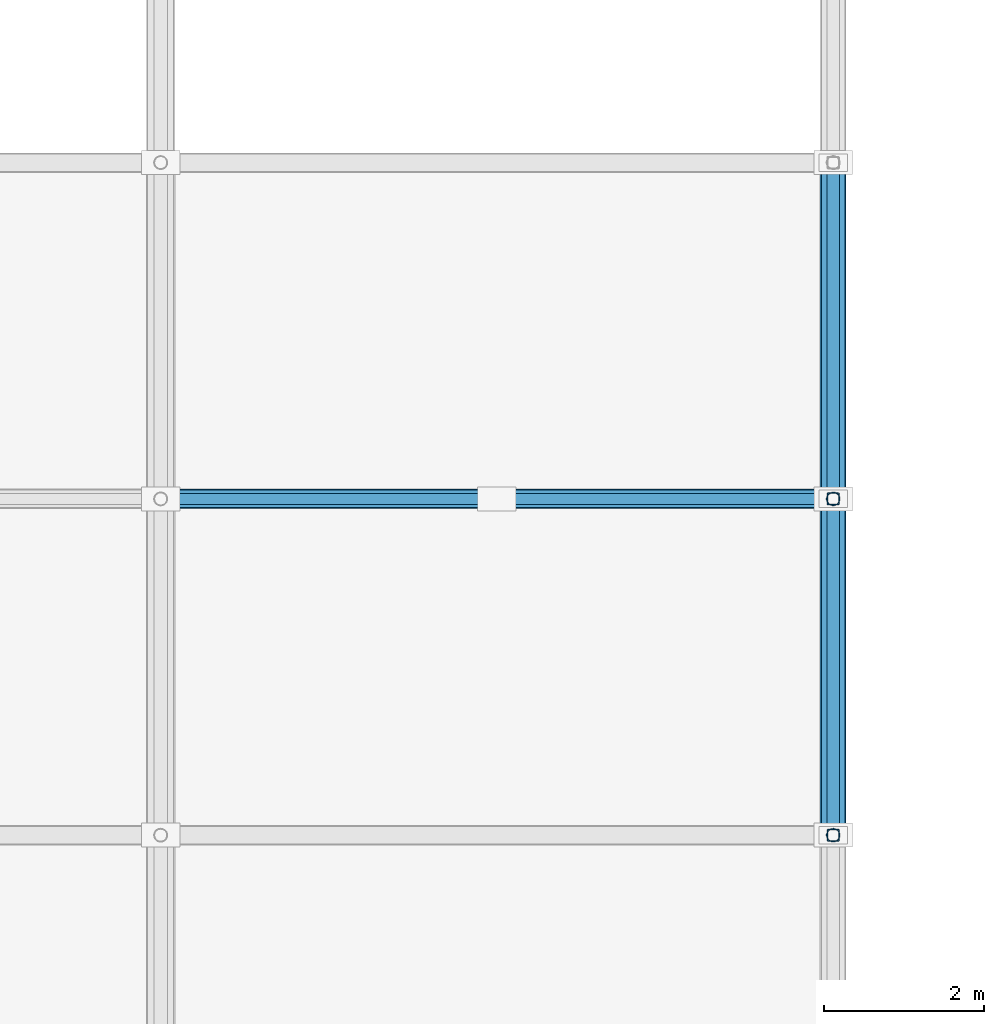
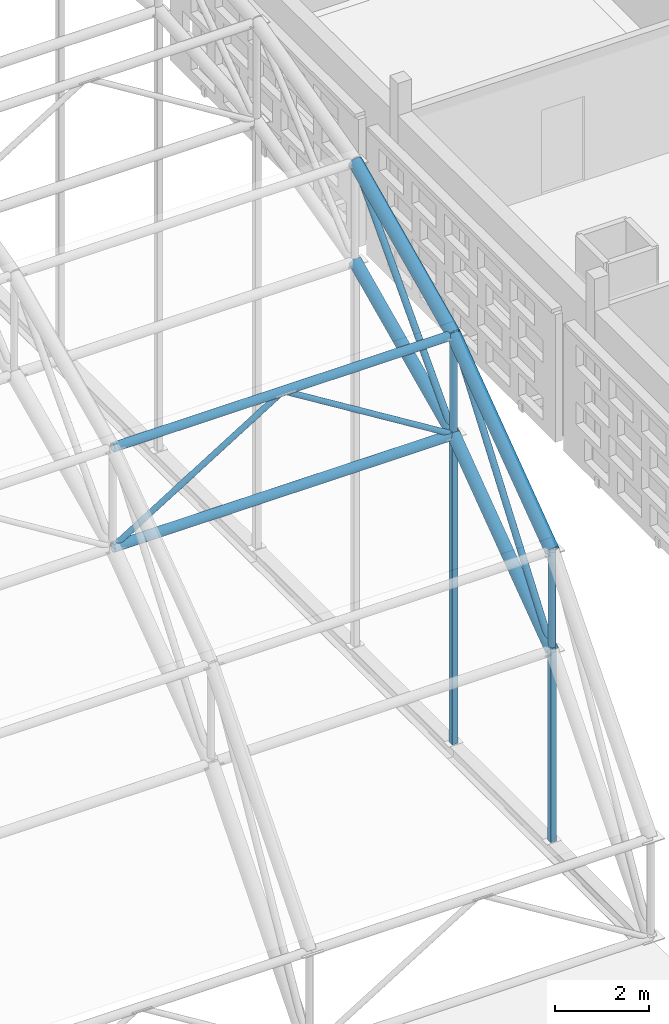
# One storey, part 55 of 103: 10 members, 4 beams.
"""IFC4 building model written with IfcOpenShell, lengths in metres."""

from ifc_helpers import new_model, si_unit, direction, frame, origin, origin_2d, place, context, subcontext, project, spatial, hollow_rectangle, hollow_circle, extrude, material, material_profile, profile_set, type_object, element, save


model = new_model("IFC4")

# Units and contexts
model_context = context("Model", 3, precision=1e-05, world=origin(), true_north=direction((0.0, 1.0)))
body_context = subcontext(model_context, "Body", "Model", "MODEL_VIEW")
ifc_project = project(units=[si_unit("LENGTHUNIT", "METRE"), si_unit("AREAUNIT", "SQUARE_METRE"), si_unit("VOLUMEUNIT", "CUBIC_METRE"), si_unit("PLANEANGLEUNIT", "RADIAN"), si_unit("MASSUNIT", "GRAM", prefix="KILO")], contexts=[model_context])

# Site, building, storey
site_placement = place(None, origin())
site = spatial("IfcSite", under=ifc_project, at=site_placement, CompositionType="ELEMENT")
building_placement = place(site_placement, origin())
building = spatial("IfcBuilding", under=site, at=building_placement, Name="Varnapada Polytechnic", CompositionType="ELEMENT")
storey_placement = place(building_placement, frame((0.0, 0.0, 18.0)))
storey = spatial("IfcBuildingStorey", under=building, at=storey_placement, Name="L04", CompositionType="ELEMENT", Elevation=18.0)

# Members
ifc_material = material(Name="Steel S355", Category="steel")
ifc_material_profile_1 = material_profile(ifc_material, hollow_rectangle(XDim=0.14990234375, YDim=0.14990234375, WallThickness=0.00634765625, InnerFilletRadius=0.006103515625, OuterFilletRadius=0.011962890625, at=origin_2d()), Name="SHS 150x150x6.3")
ifc_profile_set_1 = profile_set([ifc_material_profile_1], Name="Steel S355")
member_type_1 = type_object("IfcMemberType", Name="Sawtooth north-light mullion post SFP-02 (SHS 150x150x6.3)", PredefinedType="POST", material=ifc_profile_set_1)
member_1_placement = place(storey_placement, frame((134.39990234375, 88.199951171875, 0.0), z_axis=(0.0, 0.0, 1.0), x_axis=(1.0, 0.0, 0.0)))
element("IfcMember", 1, at=member_1_placement, inside=storey, type_object=member_type_1, Name="Workshop arch tympanum mullion E.1", PredefinedType="POST", context=body_context, shape_type="SweptSolid", body=[
    extrude(hollow_rectangle(XDim=0.14990234375, YDim=0.14990234375, WallThickness=0.00634765625, InnerFilletRadius=0.006103515625, OuterFilletRadius=0.011962890625, at=origin_2d()), origin(), (0.0, 0.0, 1.0), 4.94921875),
])
member_2_placement = place(storey_placement, frame((134.39990234375, 92.39990234375, 0.0), z_axis=(0.0, 0.0, 1.0), x_axis=(1.0, 0.0, 0.0)))
element("IfcMember", 2, at=member_2_placement, inside=storey, type_object=member_type_1, Name="Workshop arch tympanum mullion E.2", PredefinedType="POST", context=body_context, shape_type="SweptSolid", body=[
    extrude(hollow_rectangle(XDim=0.14990234375, YDim=0.14990234375, WallThickness=0.00634765625, InnerFilletRadius=0.006103515625, OuterFilletRadius=0.011962890625, at=origin_2d()), origin(), (0.0, 0.0, 1.0), 8.02783203125),
])

# Beams
ifc_material_profile_2 = material_profile(ifc_material, hollow_circle(Radius=0.149169921875, WallThickness=0.010009765625, at=origin_2d()), Name="CHS 298.5x10.0")
ifc_profile_set_2 = profile_set([ifc_material_profile_2], Name="Steel S355")
beam_type_1 = type_object("IfcBeamType", Name="Space frame end-bay arch rib VA-04 (CHS 298.5x10.0)", PredefinedType="BEAM", material=ifc_profile_set_2)
beam_1_placement = place(storey_placement, frame((134.39990234375, 88.199951171875, 4.94921875), z_axis=(0.0, 0.806528689778, 0.591194953095), x_axis=(-1.0, 0.0, 0.0)))
element("IfcBeam", 3, at=beam_1_placement, inside=storey, type_object=beam_type_1, Name="Vaulted space frame bottom arch chord 11.2", PredefinedType="BEAM", context=body_context, shape_type="SweptSolid", body=[
    extrude(hollow_circle(Radius=0.149169921875, WallThickness=0.010009765625, at=origin_2d()), origin(), (0.0, 0.0, 1.0), 5.20751953125),
])
beam_2_placement = place(storey_placement, frame((134.39990234375, 92.39990234375, 8.02783203125), z_axis=(0.0, 0.906677989805, 0.421823449802), x_axis=(-1.0, 0.0, 0.0)))
element("IfcBeam", 4, at=beam_2_placement, inside=storey, type_object=beam_type_1, Name="Vaulted space frame bottom arch chord 11.3", PredefinedType="BEAM", context=body_context, shape_type="SweptSolid", body=[
    extrude(hollow_circle(Radius=0.149169921875, WallThickness=0.010009765625, at=origin_2d()), origin(), (0.0, 0.0, 1.0), 4.632568359375),
])

# Members
ifc_material_profile_3 = material_profile(ifc_material, hollow_circle(Radius=0.07958984375, WallThickness=0.00634765625, at=origin_2d()), Name="CHS 159.0x6.3")
ifc_profile_set_3 = profile_set([ifc_material_profile_3], Name="Steel S355")
member_type_2 = type_object("IfcMemberType", Name="Space frame perimeter web diagonal SFB-03 (CHS 159.0x6.3)", PredefinedType="BRACE", material=ifc_profile_set_3)
member_3_placement = place(storey_placement, frame((134.39990234375, 88.199951171875, 4.94921875), z_axis=(0.0, 0.594633036041, 0.803997234105), x_axis=(-1.0, 0.0, 0.0)))
element("IfcMember", 5, at=member_3_placement, inside=storey, type_object=member_type_2, Name="Vaulted space frame web diagonal 11.2", PredefinedType="BRACE", context=body_context, shape_type="SweptSolid", body=[
    extrude(hollow_circle(Radius=0.07958984375, WallThickness=0.00634765625, at=origin_2d()), origin(), (0.0, 0.0, 1.0), 7.06298828125),
])
member_4_placement = place(storey_placement, frame((134.39990234375, 92.39990234375, 8.02783203125), z_axis=(0.0, 0.677978881407, 0.735081380777), x_axis=(-1.0, 0.0, 0.0)))
element("IfcMember", 6, at=member_4_placement, inside=storey, type_object=member_type_2, Name="Vaulted space frame web diagonal 11.3", PredefinedType="BRACE", context=body_context, shape_type="SweptSolid", body=[
    extrude(hollow_circle(Radius=0.07958984375, WallThickness=0.00634765625, at=origin_2d()), origin(), (0.0, 0.0, 1.0), 6.195068359375),
])
ifc_material_profile_4 = material_profile(ifc_material, hollow_circle(Radius=0.122314453125, WallThickness=0.008056640625, at=origin_2d()), Name="CHS 244.5x8.0")
ifc_profile_set_4 = profile_set([ifc_material_profile_4], Name="Steel S355")
member_type_3 = type_object("IfcMemberType", Name="Vaulted space frame longitudinal bottom chord SFC-01 (CHS 244.5x8.0)", PredefinedType="CHORD", material=ifc_profile_set_4)
member_5_placement = place(storey_placement, frame((126.0, 92.39990234375, 8.02783203125), z_axis=(1.0, 0.0, 0.0), x_axis=(0.0, 1.0, 0.0)))
element("IfcMember", 7, at=member_5_placement, inside=storey, type_object=member_type_3, Name="Vaulted space frame longitudinal bottom chord 10.3", PredefinedType="CHORD", context=body_context, shape_type="SweptSolid", body=[
    extrude(hollow_circle(Radius=0.122314453125, WallThickness=0.008056640625, at=origin_2d()), origin(), (0.0, 0.0, 1.0), 8.39990234375),
])
ifc_material_profile_5 = material_profile(ifc_material, hollow_circle(Radius=0.109619140625, WallThickness=0.008056640625, at=origin_2d()), Name="CHS 219.1x8.0")
ifc_profile_set_5 = profile_set([ifc_material_profile_5], Name="Steel S355")
member_type_4 = type_object("IfcMemberType", Name="Vaulted space frame longitudinal top chord SFC-02 (CHS 219.1x8.0)", PredefinedType="CHORD", material=ifc_profile_set_5)
member_6_placement = place(storey_placement, frame((126.0, 92.39990234375, 10.6279296875), z_axis=(1.0, 0.0, 0.0), x_axis=(0.0, 1.0, 0.0)))
element("IfcMember", 8, at=member_6_placement, inside=storey, type_object=member_type_4, Name="Vaulted space frame longitudinal top chord 10.3", PredefinedType="CHORD", context=body_context, shape_type="SweptSolid", body=[
    extrude(hollow_circle(Radius=0.109619140625, WallThickness=0.008056640625, at=origin_2d()), origin(), (0.0, 0.0, 1.0), 8.39990234375),
])
ifc_material_profile_6 = material_profile(ifc_material, hollow_circle(Radius=0.084228515625, WallThickness=0.00634765625, at=origin_2d()), Name="CHS 168.3x6.3")
ifc_profile_set_6 = profile_set([ifc_material_profile_6], Name="Steel S355")
member_type_5 = type_object("IfcMemberType", Name="Vaulted space frame radial web strut SFS-01 (CHS 168.3x6.3)", PredefinedType="STRUT", material=ifc_profile_set_6)
member_7_placement = place(storey_placement, frame((134.39990234375, 88.199951171875, 4.94921875), z_axis=(0.0, 0.0, 1.0), x_axis=(1.0, 0.0, 0.0)))
element("IfcMember", 9, at=member_7_placement, inside=storey, type_object=member_type_5, Name="Vaulted space frame strut 11.2", PredefinedType="STRUT", context=body_context, shape_type="SweptSolid", body=[
    extrude(hollow_circle(Radius=0.084228515625, WallThickness=0.00634765625, at=origin_2d()), origin(), (0.0, 0.0, 1.0), 2.599853515625),
])
member_8_placement = place(storey_placement, frame((134.39990234375, 92.39990234375, 8.02783203125), z_axis=(0.0, 0.0, 1.0), x_axis=(1.0, 0.0, 0.0)))
element("IfcMember", 10, at=member_8_placement, inside=storey, type_object=member_type_5, Name="Vaulted space frame strut 11.3", PredefinedType="STRUT", context=body_context, shape_type="SweptSolid", body=[
    extrude(hollow_circle(Radius=0.084228515625, WallThickness=0.00634765625, at=origin_2d()), origin(), (0.0, 0.0, 1.0), 2.60009765625),
])
ifc_material_profile_7 = material_profile(ifc_material, hollow_circle(Radius=0.06982421875, WallThickness=0.0048828125, at=origin_2d()), Name="CHS 139.7x5.0")
ifc_profile_set_7 = profile_set([ifc_material_profile_7], Name="Steel S355")
member_type_6 = type_object("IfcMemberType", Name="Vaulted space frame secondary web diagonal SFB-02 (CHS 139.7x5.0)", PredefinedType="BRACE", material=ifc_profile_set_7)
for number, where, z_axis, x_axis, name in (
    (11, (126.0, 92.39990234375, 8.02783203125), (0.85025356003, 0.0, 0.526373331065), (0.0, 1.0, 0.0), "Vaulted space frame longitudinal brace 10.3A"),
    (12, (134.39990234375, 92.39990234375, 8.02783203125), (-0.85025356003, 0.0, 0.526373331065), (0.0, -1.0, 0.0), "Vaulted space frame longitudinal brace 10.3B"),
):
    element("IfcMember", number, at=place(storey_placement, frame(where, z_axis=z_axis, x_axis=x_axis)), inside=storey, type_object=member_type_6, Name=name, PredefinedType="BRACE", context=body_context, shape_type="SweptSolid", body=[
        extrude(hollow_circle(Radius=0.06982421875, WallThickness=0.0048828125, at=origin_2d()), origin(), (0.0, 0.0, 1.0), 4.939697265625),
    ])

# Beams
ifc_material_profile_8 = material_profile(ifc_material, hollow_circle(Radius=0.161865234375, WallThickness=0.010009765625, at=origin_2d()), Name="CHS 323.9x10.0")
ifc_profile_set_8 = profile_set([ifc_material_profile_8], Name="Steel S355")
beam_type_2 = type_object("IfcBeamType", Name="Vaulted space frame upper arch rib VA-02 (CHS 323.9x10.0)", PredefinedType="BEAM", material=ifc_profile_set_8)
beam_3_placement = place(storey_placement, frame((134.39990234375, 88.199951171875, 7.549072265625), z_axis=(0.0, 0.806506335259, 0.591225448698), x_axis=(-1.0, 0.0, 0.0)))
element("IfcBeam", 13, at=beam_3_placement, inside=storey, type_object=beam_type_2, Name="Vaulted space frame top arch chord 11.2", PredefinedType="BEAM", context=body_context, shape_type="SweptSolid", body=[
    extrude(hollow_circle(Radius=0.161865234375, WallThickness=0.010009765625, at=origin_2d()), origin(), (0.0, 0.0, 1.0), 5.20751953125),
])
beam_4_placement = place(storey_placement, frame((134.39990234375, 92.39990234375, 10.6279296875), z_axis=(0.0, 0.906698145361, 0.421780124234), x_axis=(-1.0, 0.0, 0.0)))
element("IfcBeam", 14, at=beam_4_placement, inside=storey, type_object=beam_type_2, Name="Vaulted space frame top arch chord 11.3", PredefinedType="BEAM", context=body_context, shape_type="SweptSolid", body=[
    extrude(hollow_circle(Radius=0.161865234375, WallThickness=0.010009765625, at=origin_2d()), origin(), (0.0, 0.0, 1.0), 4.63232421875),
])

save(model, "model.ifc")
